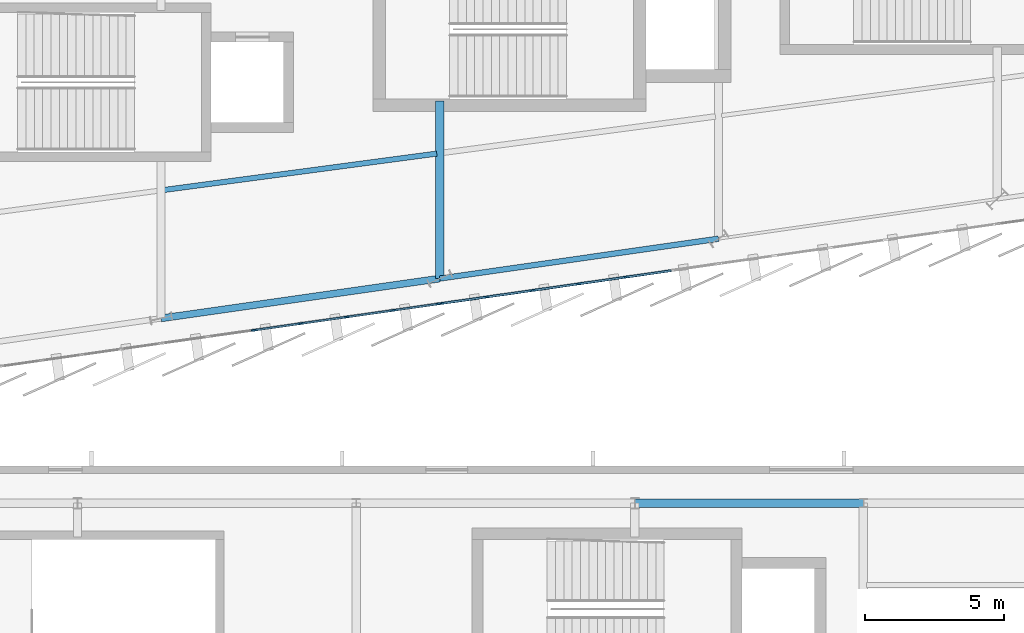
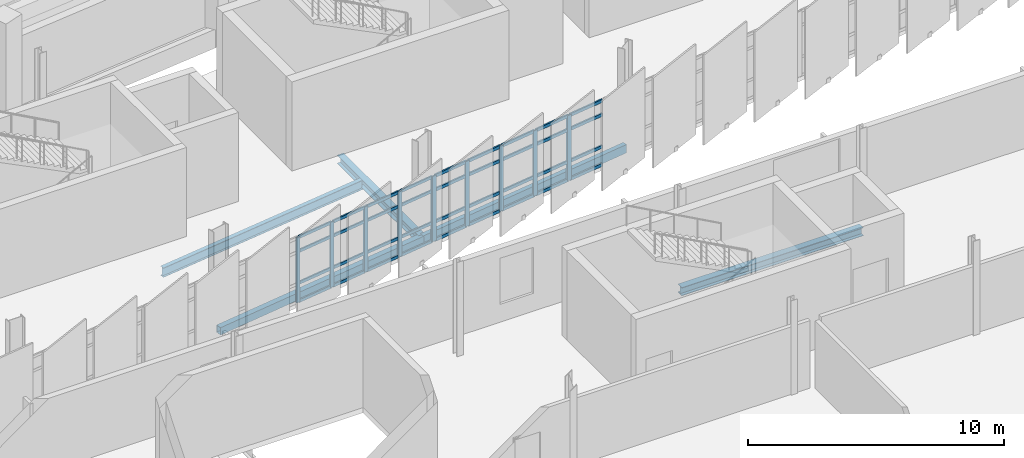
# One storey, part 35 of 120: 46 members, 5 beams, 2 elements without a shape of their own.
"""IFC4 building model written with IfcOpenShell, lengths in metres."""

from ifc_helpers import new_model, si_unit, direction, frame, origin, origin_2d, place, context, subcontext, project, spatial, rectangle, hollow_rectangle, i_section, extrude, material, layer, layer_set, material_profile, profile_set, type_object, element, aggregate, save


model = new_model("IFC4")

# Units and contexts
model_context = context("Model", 3, precision=1e-05, world=origin(), true_north=direction((0.0, 1.0)))
body_context = subcontext(model_context, "Body", "Model", "MODEL_VIEW")
ifc_project = project(units=[si_unit("LENGTHUNIT", "METRE"), si_unit("AREAUNIT", "SQUARE_METRE"), si_unit("VOLUMEUNIT", "CUBIC_METRE"), si_unit("PLANEANGLEUNIT", "RADIAN"), si_unit("MASSUNIT", "GRAM", prefix="KILO")], contexts=[model_context])

# Site, building, storey
site_placement = place(None, origin())
site = spatial("IfcSite", under=ifc_project, at=site_placement, CompositionType="ELEMENT")
building_placement = place(site_placement, origin())
building = spatial("IfcBuilding", under=site, at=building_placement, Name="Sohan Crest Arena", CompositionType="ELEMENT")
storey_placement = place(building_placement, frame((0.0, 0.0, 13.5)))
storey = spatial("IfcBuildingStorey", under=building, at=storey_placement, Name="L03", CompositionType="ELEMENT", Elevation=13.5)

# Curtain wall, members
ifc_material_1 = material(Name="Thermally broken anodised aluminium", Category="aluminium")
ifc_layer_1 = layer(ifc_material_1, 0.199951171875, Name="Thermally broken anodised aluminium")
ifc_layer_set_1 = layer_set([ifc_layer_1], Name="Thermally broken anodised aluminium")
curtain_wall_type_1 = type_object("IfcCurtainWallType", Name="ARC-CW02", PredefinedType="NOTDEFINED", material=ifc_layer_set_1)
curtain_wall_1_placement = place(storey_placement, origin())
curtain_wall_1 = element("IfcCurtainWall", 1, at=curtain_wall_1_placement, inside=storey, type_object=curtain_wall_type_1, Name="Unitised curtain wall CW-091", PredefinedType="NOTDEFINED")
ifc_material_profile_1 = material_profile(ifc_material_1, rectangle(XDim=0.06494140625, YDim=0.179931640625, at=origin_2d()), Name="ALU-MULL 65x180")
ifc_profile_set_1 = profile_set([ifc_material_profile_1], Name="Thermally broken anodised aluminium")
member_type_1 = type_object("IfcMemberType", Name="ARC-CW-ML02", PredefinedType="MULLION", material=ifc_profile_set_1)
member_1_placement = place(storey_placement, frame((111.333251953125, 31.0048828125, 0.0), z_axis=(0.0, 0.0, 1.0), x_axis=(-0.141365918403, 0.989957411768, 0.0)))
member_1 = element("IfcMember", 2, at=member_1_placement, type_object=member_type_1, Name="CW-091 mullion 3", PredefinedType="MULLION", context=body_context, shape_type="SweptSolid", body=[
    extrude(rectangle(XDim=0.06494140625, YDim=0.179931640625, at=origin_2d()), origin(), (0.0, 0.0, 1.0), 3.1201171875),
])
member_2_placement = place(storey_placement, frame((113.0, 31.242919921875, 0.0), z_axis=(0.0, 0.0, 1.0), x_axis=(-0.141365918403, 0.989957411768, 0.0)))
member_2 = element("IfcMember", 3, at=member_2_placement, type_object=member_type_1, Name="CW-091 mullion 4", PredefinedType="MULLION", context=body_context, shape_type="SweptSolid", body=[
    extrude(rectangle(XDim=0.06494140625, YDim=0.179931640625, at=origin_2d()), origin(), (0.0, 0.0, 1.0), 3.1201171875),
])
member_3_placement = place(storey_placement, frame((114.666748046875, 31.48095703125, 0.0), z_axis=(0.0, 0.0, 1.0), x_axis=(-0.141365918403, 0.989957411768, 0.0)))
member_3 = element("IfcMember", 4, at=member_3_placement, type_object=member_type_1, Name="CW-091 mullion 5", PredefinedType="MULLION", context=body_context, shape_type="SweptSolid", body=[
    extrude(rectangle(XDim=0.06494140625, YDim=0.179931640625, at=origin_2d()), origin(), (0.0, 0.0, 1.0), 3.1201171875),
])
member_4_placement = place(storey_placement, frame((116.333251953125, 31.718994140625, 0.0), z_axis=(0.0, 0.0, 1.0), x_axis=(-0.141365918403, 0.989957411768, 0.0)))
member_4 = element("IfcMember", 5, at=member_4_placement, type_object=member_type_1, Name="CW-091 mullion 6", PredefinedType="MULLION", context=body_context, shape_type="SweptSolid", body=[
    extrude(rectangle(XDim=0.06494140625, YDim=0.179931640625, at=origin_2d()), origin(), (0.0, 0.0, 1.0), 3.1201171875),
])
member_5_placement = place(storey_placement, frame((117.9677734375, 31.952392578125, 0.0), z_axis=(0.0, 0.0, 1.0), x_axis=(-0.141365918403, 0.989957411768, 0.0)))
member_5 = element("IfcMember", 6, at=member_5_placement, type_object=member_type_1, Name="CW-091 mullion 7", PredefinedType="MULLION", context=body_context, shape_type="SweptSolid", body=[
    extrude(rectangle(XDim=0.06494140625, YDim=0.179931640625, at=origin_2d()), origin(), (0.0, 0.0, 1.0), 3.1201171875),
])

ifc_layer_2 = layer(ifc_material_1, 0.219970703125, Name="Thermally broken anodised aluminium")
ifc_layer_set_2 = layer_set([ifc_layer_2], Name="Thermally broken anodised aluminium")
curtain_wall_type_2 = type_object("IfcCurtainWallType", Name="ARC-CW03", PredefinedType="NOTDEFINED", material=ifc_layer_set_2)
curtain_wall_2_placement = place(storey_placement, origin())
curtain_wall_2 = element("IfcCurtainWall", 7, at=curtain_wall_2_placement, inside=storey, type_object=curtain_wall_type_2, Name="Unitised curtain wall CW-092", PredefinedType="NOTDEFINED")
ifc_material_profile_2 = material_profile(ifc_material_1, rectangle(XDim=0.070068359375, YDim=0.199951171875, at=origin_2d()), Name="ALU-MULL 70x200")
ifc_profile_set_2 = profile_set([ifc_material_profile_2], Name="Thermally broken anodised aluminium")
member_type_2 = type_object("IfcMemberType", Name="ARC-CW-ML03", PredefinedType="MULLION", material=ifc_profile_set_2)
member_6_placement = place(storey_placement, frame((118.03466796875, 31.9619140625, 0.0), z_axis=(0.0, 0.0, 1.0), x_axis=(-0.141462933734, 0.989943553128, 0.0)))
member_6 = element("IfcMember", 8, at=member_6_placement, type_object=member_type_2, Name="CW-092 mullion 1", PredefinedType="MULLION", context=body_context, shape_type="SweptSolid", body=[
    extrude(rectangle(XDim=0.070068359375, YDim=0.199951171875, at=origin_2d()), origin(), (0.0, 0.0, 1.0), 3.1201171875),
])
member_7_placement = place(storey_placement, frame((119.666748046875, 32.195068359375, 0.0), z_axis=(0.0, 0.0, 1.0), x_axis=(-0.141462933734, 0.989943553128, 0.0)))
member_7 = element("IfcMember", 9, at=member_7_placement, type_object=member_type_2, Name="CW-092 mullion 2", PredefinedType="MULLION", context=body_context, shape_type="SweptSolid", body=[
    extrude(rectangle(XDim=0.070068359375, YDim=0.199951171875, at=origin_2d()), origin(), (0.0, 0.0, 1.0), 3.1201171875),
])
member_8_placement = place(storey_placement, frame((121.333251953125, 32.433349609375, 0.0), z_axis=(0.0, 0.0, 1.0), x_axis=(-0.141462933734, 0.989943553128, 0.0)))
member_8 = element("IfcMember", 10, at=member_8_placement, type_object=member_type_2, Name="CW-092 mullion 3", PredefinedType="MULLION", context=body_context, shape_type="SweptSolid", body=[
    extrude(rectangle(XDim=0.070068359375, YDim=0.199951171875, at=origin_2d()), origin(), (0.0, 0.0, 1.0), 3.1201171875),
])
member_9_placement = place(storey_placement, frame((123.0, 32.67138671875, 0.0), z_axis=(0.0, 0.0, 1.0), x_axis=(-0.141462933734, 0.989943553128, 0.0)))
member_9 = element("IfcMember", 11, at=member_9_placement, type_object=member_type_2, Name="CW-092 mullion 4", PredefinedType="MULLION", context=body_context, shape_type="SweptSolid", body=[
    extrude(rectangle(XDim=0.070068359375, YDim=0.199951171875, at=origin_2d()), origin(), (0.0, 0.0, 1.0), 3.1201171875),
])
member_10_placement = place(storey_placement, frame((124.666748046875, 32.90966796875, 0.0), z_axis=(0.0, 0.0, 1.0), x_axis=(-0.141462933734, 0.989943553128, 0.0)))
member_10 = element("IfcMember", 12, at=member_10_placement, type_object=member_type_2, Name="CW-092 mullion 5", PredefinedType="MULLION", context=body_context, shape_type="SweptSolid", body=[
    extrude(rectangle(XDim=0.070068359375, YDim=0.199951171875, at=origin_2d()), origin(), (0.0, 0.0, 1.0), 3.1201171875),
])

# Member
ifc_material_profile_3 = material_profile(ifc_material_1, rectangle(XDim=0.06494140625, YDim=0.139892578125, at=origin_2d()), Name="ALU-TRAN 65x140")
ifc_profile_set_3 = profile_set([ifc_material_profile_3], Name="Thermally broken anodised aluminium")
member_type_3 = type_object("IfcMemberType", Name="ARC-CW-TR02", PredefinedType="USERDEFINED", material=ifc_profile_set_3)
member_11_placement = place(storey_placement, frame((111.365478515625, 31.009521484375, 0.032470703125), z_axis=(0.98994044144, 0.141484707309, 0.0), x_axis=(-0.141484707309, 0.98994044144, 0.0)))
member_11 = element("IfcMember", 13, at=member_11_placement, type_object=member_type_3, Name="CW-091 transom 3.1", ObjectType="TRANSOM", PredefinedType="USERDEFINED", context=body_context, shape_type="SweptSolid", body=[
    extrude(rectangle(XDim=0.06494140625, YDim=0.139892578125, at=origin_2d()), origin(), (0.0, 0.0, 1.0), 1.61865234375),
])

member_12_placement = place(storey_placement, frame((111.365478515625, 31.009521484375, 0.89990234375), z_axis=(0.98994044144, 0.141484707309, 0.0), x_axis=(-0.141484707309, 0.98994044144, 0.0)))
member_12 = element("IfcMember", 14, at=member_12_placement, type_object=member_type_3, Name="CW-091 transom 3.2", ObjectType="TRANSOM", PredefinedType="USERDEFINED", context=body_context, shape_type="SweptSolid", body=[
    extrude(rectangle(XDim=0.06494140625, YDim=0.139892578125, at=origin_2d()), origin(), (0.0, 0.0, 1.0), 1.61865234375),
])

member_13_placement = place(storey_placement, frame((111.365478515625, 31.009521484375, 2.419921875), z_axis=(0.98994044144, 0.141484707309, 0.0), x_axis=(-0.141484707309, 0.98994044144, 0.0)))
member_13 = element("IfcMember", 15, at=member_13_placement, type_object=member_type_3, Name="CW-091 transom 3.3", ObjectType="TRANSOM", PredefinedType="USERDEFINED", context=body_context, shape_type="SweptSolid", body=[
    extrude(rectangle(XDim=0.06494140625, YDim=0.139892578125, at=origin_2d()), origin(), (0.0, 0.0, 1.0), 1.61865234375),
])

member_14_placement = place(storey_placement, frame((111.365478515625, 31.009521484375, 3.08740234375), z_axis=(0.98994044144, 0.141484707309, 0.0), x_axis=(-0.141484707309, 0.98994044144, 0.0)))
member_14 = element("IfcMember", 16, at=member_14_placement, type_object=member_type_3, Name="CW-091 transom 3.4", ObjectType="TRANSOM", PredefinedType="USERDEFINED", context=body_context, shape_type="SweptSolid", body=[
    extrude(rectangle(XDim=0.06494140625, YDim=0.139892578125, at=origin_2d()), origin(), (0.0, 0.0, 1.0), 1.61865234375),
])

member_15_placement = place(storey_placement, frame((113.0322265625, 31.24755859375, 0.032470703125), z_axis=(0.989961557241, 0.141336885439, 0.0), x_axis=(-0.141336885439, 0.989961557241, 0.0)))
member_15 = element("IfcMember", 17, at=member_15_placement, type_object=member_type_3, Name="CW-091 transom 4.1", ObjectType="TRANSOM", PredefinedType="USERDEFINED", context=body_context, shape_type="SweptSolid", body=[
    extrude(rectangle(XDim=0.06494140625, YDim=0.139892578125, at=origin_2d()), origin(), (0.0, 0.0, 1.0), 1.61865234375),
])

member_16_placement = place(storey_placement, frame((113.0322265625, 31.24755859375, 0.89990234375), z_axis=(0.989961557241, 0.141336885439, 0.0), x_axis=(-0.141336885439, 0.989961557241, 0.0)))
member_16 = element("IfcMember", 18, at=member_16_placement, type_object=member_type_3, Name="CW-091 transom 4.2", ObjectType="TRANSOM", PredefinedType="USERDEFINED", context=body_context, shape_type="SweptSolid", body=[
    extrude(rectangle(XDim=0.06494140625, YDim=0.139892578125, at=origin_2d()), origin(), (0.0, 0.0, 1.0), 1.61865234375),
])

member_17_placement = place(storey_placement, frame((113.0322265625, 31.24755859375, 2.419921875), z_axis=(0.989961557241, 0.141336885439, 0.0), x_axis=(-0.141336885439, 0.989961557241, 0.0)))
member_17 = element("IfcMember", 19, at=member_17_placement, type_object=member_type_3, Name="CW-091 transom 4.3", ObjectType="TRANSOM", PredefinedType="USERDEFINED", context=body_context, shape_type="SweptSolid", body=[
    extrude(rectangle(XDim=0.06494140625, YDim=0.139892578125, at=origin_2d()), origin(), (0.0, 0.0, 1.0), 1.61865234375),
])

member_18_placement = place(storey_placement, frame((113.0322265625, 31.24755859375, 3.08740234375), z_axis=(0.989961557241, 0.141336885439, 0.0), x_axis=(-0.141336885439, 0.989961557241, 0.0)))
member_18 = element("IfcMember", 20, at=member_18_placement, type_object=member_type_3, Name="CW-091 transom 4.4", ObjectType="TRANSOM", PredefinedType="USERDEFINED", context=body_context, shape_type="SweptSolid", body=[
    extrude(rectangle(XDim=0.06494140625, YDim=0.139892578125, at=origin_2d()), origin(), (0.0, 0.0, 1.0), 1.61865234375),
])

member_19_placement = place(storey_placement, frame((114.69873046875, 31.485595703125, 0.032470703125), z_axis=(0.989964569759, 0.141315783343, 0.0), x_axis=(-0.141315783343, 0.989964569759, 0.0)))
member_19 = element("IfcMember", 21, at=member_19_placement, type_object=member_type_3, Name="CW-091 transom 5.1", ObjectType="TRANSOM", PredefinedType="USERDEFINED", context=body_context, shape_type="SweptSolid", body=[
    extrude(rectangle(XDim=0.06494140625, YDim=0.139892578125, at=origin_2d()), origin(), (0.0, 0.0, 1.0), 1.618896484375),
])

member_20_placement = place(storey_placement, frame((114.69873046875, 31.485595703125, 0.89990234375), z_axis=(0.989964569759, 0.141315783343, 0.0), x_axis=(-0.141315783343, 0.989964569759, 0.0)))
member_20 = element("IfcMember", 22, at=member_20_placement, type_object=member_type_3, Name="CW-091 transom 5.2", ObjectType="TRANSOM", PredefinedType="USERDEFINED", context=body_context, shape_type="SweptSolid", body=[
    extrude(rectangle(XDim=0.06494140625, YDim=0.139892578125, at=origin_2d()), origin(), (0.0, 0.0, 1.0), 1.618896484375),
])

member_21_placement = place(storey_placement, frame((114.69873046875, 31.485595703125, 2.419921875), z_axis=(0.989964569759, 0.141315783343, 0.0), x_axis=(-0.141315783343, 0.989964569759, 0.0)))
member_21 = element("IfcMember", 23, at=member_21_placement, type_object=member_type_3, Name="CW-091 transom 5.3", ObjectType="TRANSOM", PredefinedType="USERDEFINED", context=body_context, shape_type="SweptSolid", body=[
    extrude(rectangle(XDim=0.06494140625, YDim=0.139892578125, at=origin_2d()), origin(), (0.0, 0.0, 1.0), 1.618896484375),
])

member_22_placement = place(storey_placement, frame((114.69873046875, 31.485595703125, 3.08740234375), z_axis=(0.989964569759, 0.141315783343, 0.0), x_axis=(-0.141315783343, 0.989964569759, 0.0)))
member_22 = element("IfcMember", 24, at=member_22_placement, type_object=member_type_3, Name="CW-091 transom 5.4", ObjectType="TRANSOM", PredefinedType="USERDEFINED", context=body_context, shape_type="SweptSolid", body=[
    extrude(rectangle(XDim=0.06494140625, YDim=0.139892578125, at=origin_2d()), origin(), (0.0, 0.0, 1.0), 1.618896484375),
])

member_23_placement = place(storey_placement, frame((116.365478515625, 31.7236328125, 0.032470703125), z_axis=(0.989964881435, 0.141313599931, 0.0), x_axis=(-0.141313599931, 0.989964881435, 0.0)))
member_23 = element("IfcMember", 25, at=member_23_placement, type_object=member_type_3, Name="CW-091 transom 6.1", ObjectType="TRANSOM", PredefinedType="USERDEFINED", context=body_context, shape_type="SweptSolid", body=[
    extrude(rectangle(XDim=0.06494140625, YDim=0.139892578125, at=origin_2d()), origin(), (0.0, 0.0, 1.0), 1.5859375),
])

member_24_placement = place(storey_placement, frame((116.365478515625, 31.7236328125, 0.89990234375), z_axis=(0.989964881435, 0.141313599931, 0.0), x_axis=(-0.141313599931, 0.989964881435, 0.0)))
member_24 = element("IfcMember", 26, at=member_24_placement, type_object=member_type_3, Name="CW-091 transom 6.2", ObjectType="TRANSOM", PredefinedType="USERDEFINED", context=body_context, shape_type="SweptSolid", body=[
    extrude(rectangle(XDim=0.06494140625, YDim=0.139892578125, at=origin_2d()), origin(), (0.0, 0.0, 1.0), 1.5859375),
])

member_25_placement = place(storey_placement, frame((116.365478515625, 31.7236328125, 2.419921875), z_axis=(0.989964881435, 0.141313599931, 0.0), x_axis=(-0.141313599931, 0.989964881435, 0.0)))
member_25 = element("IfcMember", 27, at=member_25_placement, type_object=member_type_3, Name="CW-091 transom 6.3", ObjectType="TRANSOM", PredefinedType="USERDEFINED", context=body_context, shape_type="SweptSolid", body=[
    extrude(rectangle(XDim=0.06494140625, YDim=0.139892578125, at=origin_2d()), origin(), (0.0, 0.0, 1.0), 1.5859375),
])

member_26_placement = place(storey_placement, frame((116.365478515625, 31.7236328125, 3.08740234375), z_axis=(0.989964881435, 0.141313599931, 0.0), x_axis=(-0.141313599931, 0.989964881435, 0.0)))
member_26 = element("IfcMember", 28, at=member_26_placement, type_object=member_type_3, Name="CW-091 transom 6.4", ObjectType="TRANSOM", PredefinedType="USERDEFINED", context=body_context, shape_type="SweptSolid", body=[
    extrude(rectangle(XDim=0.06494140625, YDim=0.139892578125, at=origin_2d()), origin(), (0.0, 0.0, 1.0), 1.5859375),
])

aggregate(curtain_wall_1, [member_1, member_2, member_3, member_4, member_5, member_11, member_12, member_13, member_14, member_15, member_16, member_17, member_18, member_19, member_20, member_21, member_22, member_23, member_24, member_25, member_26])

ifc_material_profile_4 = material_profile(ifc_material_1, rectangle(XDim=0.070068359375, YDim=0.14990234375, at=origin_2d()), Name="ALU-TRAN 70x150")
ifc_profile_set_4 = profile_set([ifc_material_profile_4], Name="Thermally broken anodised aluminium")
member_type_4 = type_object("IfcMemberType", Name="ARC-CW-TR03", PredefinedType="USERDEFINED", material=ifc_profile_set_4)
member_27_placement = place(storey_placement, frame((118.0693359375, 31.966796875, 0.034912109375), z_axis=(0.989937117592, 0.141507961662, 0.0), x_axis=(-0.141507961662, 0.989937117592, 0.0)))
member_27 = element("IfcMember", 29, at=member_27_placement, type_object=member_type_4, Name="CW-092 transom 1.1", ObjectType="TRANSOM", PredefinedType="USERDEFINED", context=body_context, shape_type="SweptSolid", body=[
    extrude(rectangle(XDim=0.070068359375, YDim=0.14990234375, at=origin_2d()), origin(), (0.0, 0.0, 1.0), 1.57861328125),
])

member_28_placement = place(storey_placement, frame((118.0693359375, 31.966796875, 0.89990234375), z_axis=(0.989937117592, 0.141507961662, 0.0), x_axis=(-0.141507961662, 0.989937117592, 0.0)))
member_28 = element("IfcMember", 30, at=member_28_placement, type_object=member_type_4, Name="CW-092 transom 1.2", ObjectType="TRANSOM", PredefinedType="USERDEFINED", context=body_context, shape_type="SweptSolid", body=[
    extrude(rectangle(XDim=0.070068359375, YDim=0.14990234375, at=origin_2d()), origin(), (0.0, 0.0, 1.0), 1.57861328125),
])

member_29_placement = place(storey_placement, frame((118.0693359375, 31.966796875, 2.419921875), z_axis=(0.989937117592, 0.141507961662, 0.0), x_axis=(-0.141507961662, 0.989937117592, 0.0)))
member_29 = element("IfcMember", 31, at=member_29_placement, type_object=member_type_4, Name="CW-092 transom 1.3", ObjectType="TRANSOM", PredefinedType="USERDEFINED", context=body_context, shape_type="SweptSolid", body=[
    extrude(rectangle(XDim=0.070068359375, YDim=0.14990234375, at=origin_2d()), origin(), (0.0, 0.0, 1.0), 1.57861328125),
])

member_30_placement = place(storey_placement, frame((118.0693359375, 31.966796875, 3.0849609375), z_axis=(0.989937117592, 0.141507961662, 0.0), x_axis=(-0.141507961662, 0.989937117592, 0.0)))
member_30 = element("IfcMember", 32, at=member_30_placement, type_object=member_type_4, Name="CW-092 transom 1.4", ObjectType="TRANSOM", PredefinedType="USERDEFINED", context=body_context, shape_type="SweptSolid", body=[
    extrude(rectangle(XDim=0.070068359375, YDim=0.14990234375, at=origin_2d()), origin(), (0.0, 0.0, 1.0), 1.57861328125),
])

member_31_placement = place(storey_placement, frame((119.701416015625, 32.2001953125, 0.034912109375), z_axis=(0.989940412375, 0.141484910665, 0.0), x_axis=(-0.141484910665, 0.989940412375, 0.0)))
member_31 = element("IfcMember", 33, at=member_31_placement, type_object=member_type_4, Name="CW-092 transom 2.1", ObjectType="TRANSOM", PredefinedType="USERDEFINED", context=body_context, shape_type="SweptSolid", body=[
    extrude(rectangle(XDim=0.070068359375, YDim=0.14990234375, at=origin_2d()), origin(), (0.0, 0.0, 1.0), 1.61328125),
])

member_32_placement = place(storey_placement, frame((119.701416015625, 32.2001953125, 0.89990234375), z_axis=(0.989940412375, 0.141484910665, 0.0), x_axis=(-0.141484910665, 0.989940412375, 0.0)))
member_32 = element("IfcMember", 34, at=member_32_placement, type_object=member_type_4, Name="CW-092 transom 2.2", ObjectType="TRANSOM", PredefinedType="USERDEFINED", context=body_context, shape_type="SweptSolid", body=[
    extrude(rectangle(XDim=0.070068359375, YDim=0.14990234375, at=origin_2d()), origin(), (0.0, 0.0, 1.0), 1.61328125),
])

member_33_placement = place(storey_placement, frame((119.701416015625, 32.2001953125, 2.419921875), z_axis=(0.989940412375, 0.141484910665, 0.0), x_axis=(-0.141484910665, 0.989940412375, 0.0)))
member_33 = element("IfcMember", 35, at=member_33_placement, type_object=member_type_4, Name="CW-092 transom 2.3", ObjectType="TRANSOM", PredefinedType="USERDEFINED", context=body_context, shape_type="SweptSolid", body=[
    extrude(rectangle(XDim=0.070068359375, YDim=0.14990234375, at=origin_2d()), origin(), (0.0, 0.0, 1.0), 1.61328125),
])

member_34_placement = place(storey_placement, frame((119.701416015625, 32.2001953125, 3.0849609375), z_axis=(0.989940412375, 0.141484910665, 0.0), x_axis=(-0.141484910665, 0.989940412375, 0.0)))
member_34 = element("IfcMember", 36, at=member_34_placement, type_object=member_type_4, Name="CW-092 transom 2.4", ObjectType="TRANSOM", PredefinedType="USERDEFINED", context=body_context, shape_type="SweptSolid", body=[
    extrude(rectangle(XDim=0.070068359375, YDim=0.14990234375, at=origin_2d()), origin(), (0.0, 0.0, 1.0), 1.61328125),
])

member_35_placement = place(storey_placement, frame((121.367919921875, 32.438232421875, 0.034912109375), z_axis=(0.989943440831, 0.141463719575, 0.0), x_axis=(-0.141463719575, 0.989943440831, 0.0)))
member_35 = element("IfcMember", 37, at=member_35_placement, type_object=member_type_4, Name="CW-092 transom 3.1", ObjectType="TRANSOM", PredefinedType="USERDEFINED", context=body_context, shape_type="SweptSolid", body=[
    extrude(rectangle(XDim=0.070068359375, YDim=0.14990234375, at=origin_2d()), origin(), (0.0, 0.0, 1.0), 1.613525390625),
])

member_36_placement = place(storey_placement, frame((121.367919921875, 32.438232421875, 0.89990234375), z_axis=(0.989943440831, 0.141463719575, 0.0), x_axis=(-0.141463719575, 0.989943440831, 0.0)))
member_36 = element("IfcMember", 38, at=member_36_placement, type_object=member_type_4, Name="CW-092 transom 3.2", ObjectType="TRANSOM", PredefinedType="USERDEFINED", context=body_context, shape_type="SweptSolid", body=[
    extrude(rectangle(XDim=0.070068359375, YDim=0.14990234375, at=origin_2d()), origin(), (0.0, 0.0, 1.0), 1.613525390625),
])

member_37_placement = place(storey_placement, frame((121.367919921875, 32.438232421875, 2.419921875), z_axis=(0.989943440831, 0.141463719575, 0.0), x_axis=(-0.141463719575, 0.989943440831, 0.0)))
member_37 = element("IfcMember", 39, at=member_37_placement, type_object=member_type_4, Name="CW-092 transom 3.3", ObjectType="TRANSOM", PredefinedType="USERDEFINED", context=body_context, shape_type="SweptSolid", body=[
    extrude(rectangle(XDim=0.070068359375, YDim=0.14990234375, at=origin_2d()), origin(), (0.0, 0.0, 1.0), 1.613525390625),
])

member_38_placement = place(storey_placement, frame((121.367919921875, 32.438232421875, 3.0849609375), z_axis=(0.989943440831, 0.141463719575, 0.0), x_axis=(-0.141463719575, 0.989943440831, 0.0)))
member_38 = element("IfcMember", 40, at=member_38_placement, type_object=member_type_4, Name="CW-092 transom 3.4", ObjectType="TRANSOM", PredefinedType="USERDEFINED", context=body_context, shape_type="SweptSolid", body=[
    extrude(rectangle(XDim=0.070068359375, YDim=0.14990234375, at=origin_2d()), origin(), (0.0, 0.0, 1.0), 1.613525390625),
])

member_39_placement = place(storey_placement, frame((123.03466796875, 32.676513671875, 0.034912109375), z_axis=(0.989943440831, 0.141463719575, 0.0), x_axis=(-0.141463719575, 0.989943440831, 0.0)))
member_39 = element("IfcMember", 41, at=member_39_placement, type_object=member_type_4, Name="CW-092 transom 4.1", ObjectType="TRANSOM", PredefinedType="USERDEFINED", context=body_context, shape_type="SweptSolid", body=[
    extrude(rectangle(XDim=0.070068359375, YDim=0.14990234375, at=origin_2d()), origin(), (0.0, 0.0, 1.0), 1.613525390625),
])

member_40_placement = place(storey_placement, frame((123.03466796875, 32.676513671875, 0.89990234375), z_axis=(0.989943440831, 0.141463719575, 0.0), x_axis=(-0.141463719575, 0.989943440831, 0.0)))
member_40 = element("IfcMember", 42, at=member_40_placement, type_object=member_type_4, Name="CW-092 transom 4.2", ObjectType="TRANSOM", PredefinedType="USERDEFINED", context=body_context, shape_type="SweptSolid", body=[
    extrude(rectangle(XDim=0.070068359375, YDim=0.14990234375, at=origin_2d()), origin(), (0.0, 0.0, 1.0), 1.613525390625),
])

member_41_placement = place(storey_placement, frame((123.03466796875, 32.676513671875, 2.419921875), z_axis=(0.989943440831, 0.141463719575, 0.0), x_axis=(-0.141463719575, 0.989943440831, 0.0)))
member_41 = element("IfcMember", 43, at=member_41_placement, type_object=member_type_4, Name="CW-092 transom 4.3", ObjectType="TRANSOM", PredefinedType="USERDEFINED", context=body_context, shape_type="SweptSolid", body=[
    extrude(rectangle(XDim=0.070068359375, YDim=0.14990234375, at=origin_2d()), origin(), (0.0, 0.0, 1.0), 1.613525390625),
])

member_42_placement = place(storey_placement, frame((123.03466796875, 32.676513671875, 3.0849609375), z_axis=(0.989943440831, 0.141463719575, 0.0), x_axis=(-0.141463719575, 0.989943440831, 0.0)))
member_42 = element("IfcMember", 44, at=member_42_placement, type_object=member_type_4, Name="CW-092 transom 4.4", ObjectType="TRANSOM", PredefinedType="USERDEFINED", context=body_context, shape_type="SweptSolid", body=[
    extrude(rectangle(XDim=0.070068359375, YDim=0.14990234375, at=origin_2d()), origin(), (0.0, 0.0, 1.0), 1.613525390625),
])

member_43_placement = place(storey_placement, frame((124.701416015625, 32.91455078125, 0.034912109375), z_axis=(0.989940412375, 0.141484910665, 0.0), x_axis=(-0.141484910665, 0.989940412375, 0.0)))
member_43 = element("IfcMember", 45, at=member_43_placement, type_object=member_type_4, Name="CW-092 transom 5.1", ObjectType="TRANSOM", PredefinedType="USERDEFINED", context=body_context, shape_type="SweptSolid", body=[
    extrude(rectangle(XDim=0.070068359375, YDim=0.14990234375, at=origin_2d()), origin(), (0.0, 0.0, 1.0), 1.61328125),
])

member_44_placement = place(storey_placement, frame((124.701416015625, 32.91455078125, 0.89990234375), z_axis=(0.989940412375, 0.141484910665, 0.0), x_axis=(-0.141484910665, 0.989940412375, 0.0)))
member_44 = element("IfcMember", 46, at=member_44_placement, type_object=member_type_4, Name="CW-092 transom 5.2", ObjectType="TRANSOM", PredefinedType="USERDEFINED", context=body_context, shape_type="SweptSolid", body=[
    extrude(rectangle(XDim=0.070068359375, YDim=0.14990234375, at=origin_2d()), origin(), (0.0, 0.0, 1.0), 1.61328125),
])

member_45_placement = place(storey_placement, frame((124.701416015625, 32.91455078125, 2.419921875), z_axis=(0.989940412375, 0.141484910665, 0.0), x_axis=(-0.141484910665, 0.989940412375, 0.0)))
member_45 = element("IfcMember", 47, at=member_45_placement, type_object=member_type_4, Name="CW-092 transom 5.3", ObjectType="TRANSOM", PredefinedType="USERDEFINED", context=body_context, shape_type="SweptSolid", body=[
    extrude(rectangle(XDim=0.070068359375, YDim=0.14990234375, at=origin_2d()), origin(), (0.0, 0.0, 1.0), 1.61328125),
])

member_46_placement = place(storey_placement, frame((124.701416015625, 32.91455078125, 3.0849609375), z_axis=(0.989940412375, 0.141484910665, 0.0), x_axis=(-0.141484910665, 0.989940412375, 0.0)))
member_46 = element("IfcMember", 48, at=member_46_placement, type_object=member_type_4, Name="CW-092 transom 5.4", ObjectType="TRANSOM", PredefinedType="USERDEFINED", context=body_context, shape_type="SweptSolid", body=[
    extrude(rectangle(XDim=0.070068359375, YDim=0.14990234375, at=origin_2d()), origin(), (0.0, 0.0, 1.0), 1.61328125),
])

aggregate(curtain_wall_2, [member_6, member_7, member_8, member_9, member_10, member_27, member_28, member_29, member_30, member_31, member_32, member_33, member_34, member_35, member_36, member_37, member_38, member_39, member_40, member_41, member_42, member_43, member_44, member_45, member_46])

# Beams
ifc_material_2 = material(Name="Steel S355", Category="steel")
ifc_material_profile_5 = material_profile(ifc_material_2, i_section(OverallWidth=0.18994140625, OverallDepth=0.449951171875, WebThickness=0.009521484375, FlangeThickness=0.0146484375, at=origin_2d()), Name="IPE 450")
ifc_profile_set_5 = profile_set([ifc_material_profile_5], Name="Steel S355")
beam_type_1 = type_object("IfcBeamType", Name="STR-BM-B04", PredefinedType="JOIST", material=ifc_profile_set_5)
beam_1_placement = place(storey_placement, frame((108.10888671875, 36.035888671875, -0.47509765625), z_axis=(0.991229196985, 0.132153997462, 0.0), x_axis=(-0.132153997462, 0.991229196985, 0.0)))
element("IfcBeam", 49, at=beam_1_placement, inside=storey, type_object=beam_type_1, Name="Structural beam J-L03-1455", PredefinedType="JOIST", context=body_context, shape_type="SweptSolid", body=[
    extrude(i_section(OverallWidth=0.18994140625, OverallDepth=0.449951171875, WebThickness=0.009521484375, FlangeThickness=0.0146484375, at=origin_2d()), origin(), (0.0, 0.0, 1.0), 9.868896484375),
])
ifc_material_profile_6 = material_profile(ifc_material_2, i_section(OverallWidth=0.300048828125, OverallDepth=0.389892578125, WebThickness=0.010986328125, FlangeThickness=0.01904296875, at=origin_2d()), Name="HEA 400")
ifc_profile_set_6 = profile_set([ifc_material_profile_6], Name="Steel S355")
beam_type_2 = type_object("IfcBeamType", Name="STR-BM-B09", PredefinedType="BEAM", material=ifc_profile_set_6)
beam_2_placement = place(storey_placement, frame((125.0, 24.800048828125, -0.445068359375), z_axis=(1.0, 0.0, 0.0), x_axis=(0.0, 1.0, 0.0)))
element("IfcBeam", 50, at=beam_2_placement, inside=storey, type_object=beam_type_2, Name="Structural beam G-L03-2766", PredefinedType="BEAM", context=body_context, shape_type="SweptSolid", body=[
    extrude(i_section(OverallWidth=0.300048828125, OverallDepth=0.389892578125, WebThickness=0.010986328125, FlangeThickness=0.01904296875, at=origin_2d()), origin(), (0.0, 0.0, 1.0), 8.199951171875),
])
ifc_material_profile_7 = material_profile(ifc_material_2, i_section(OverallWidth=0.300048828125, OverallDepth=0.39990234375, WebThickness=0.013427734375, FlangeThickness=0.02392578125, at=origin_2d()), Name="HEB 400")
ifc_profile_set_7 = profile_set([ifc_material_profile_7], Name="Steel S355")
beam_type_3 = type_object("IfcBeamType", Name="STR-BM-B13", PredefinedType="BEAM", material=ifc_profile_set_7)
beam_3_placement = place(storey_placement, frame((118.0, 39.219970703125, -0.449951171875), z_axis=(0.0, -1.0, 0.0), x_axis=(1.0, 0.0, 0.0)))
element("IfcBeam", 51, at=beam_3_placement, inside=storey, type_object=beam_type_3, Name="Structural beam G-L03-1457", PredefinedType="BEAM", context=body_context, shape_type="SweptSolid", body=[
    extrude(i_section(OverallWidth=0.300048828125, OverallDepth=0.39990234375, WebThickness=0.013427734375, FlangeThickness=0.02392578125, at=origin_2d()), origin(), (0.0, 0.0, 1.0), 6.363037109375),
])
ifc_material_profile_8 = material_profile(ifc_material_2, hollow_rectangle(XDim=0.25, YDim=0.35009765625, WallThickness=0.012451171875, at=origin_2d()), Name="RHS 350x250x12.5")
ifc_profile_set_8 = profile_set([ifc_material_profile_8], Name="Steel S355")
beam_type_4 = type_object("IfcBeamType", Name="STR-BM-SP04", PredefinedType="SPANDREL", material=ifc_profile_set_8)
beam_4_placement = place(storey_placement, frame((108.0, 31.428955078125, -0.425048828125), z_axis=(0.989957709412, 0.141363834042, 0.0), x_axis=(-0.141363834042, 0.989957709412, 0.0)))
element("IfcBeam", 52, at=beam_4_placement, inside=storey, type_object=beam_type_4, Name="Structural beam SP-L03-1454", PredefinedType="SPANDREL", context=body_context, shape_type="SweptSolid", body=[
    extrude(hollow_rectangle(XDim=0.25, YDim=0.35009765625, WallThickness=0.012451171875, at=origin_2d()), origin(), (0.0, 0.0, 1.0), 10.1015625),
])
ifc_material_profile_9 = material_profile(ifc_material_2, hollow_rectangle(XDim=0.199951171875, YDim=0.39990234375, WallThickness=0.012451171875, at=origin_2d()), Name="RHS 400x200x12.5")
ifc_profile_set_9 = profile_set([ifc_material_profile_9], Name="Steel S355")
beam_type_5 = type_object("IfcBeamType", Name="STR-BM-SP05", PredefinedType="SPANDREL", material=ifc_profile_set_9)
beam_5_placement = place(storey_placement, frame((118.0, 32.85693359375, -0.449951171875), z_axis=(0.989944175879, 0.141458575718, 0.0), x_axis=(-0.141458575718, 0.989944175879, 0.0)))
element("IfcBeam", 53, at=beam_5_placement, inside=storey, type_object=beam_type_5, Name="Structural beam SP-L03-1459", PredefinedType="SPANDREL", context=body_context, shape_type="SweptSolid", body=[
    extrude(hollow_rectangle(XDim=0.199951171875, YDim=0.39990234375, WallThickness=0.012451171875, at=origin_2d()), origin(), (0.0, 0.0, 1.0), 10.1015625),
])

save(model, "model.ifc")
